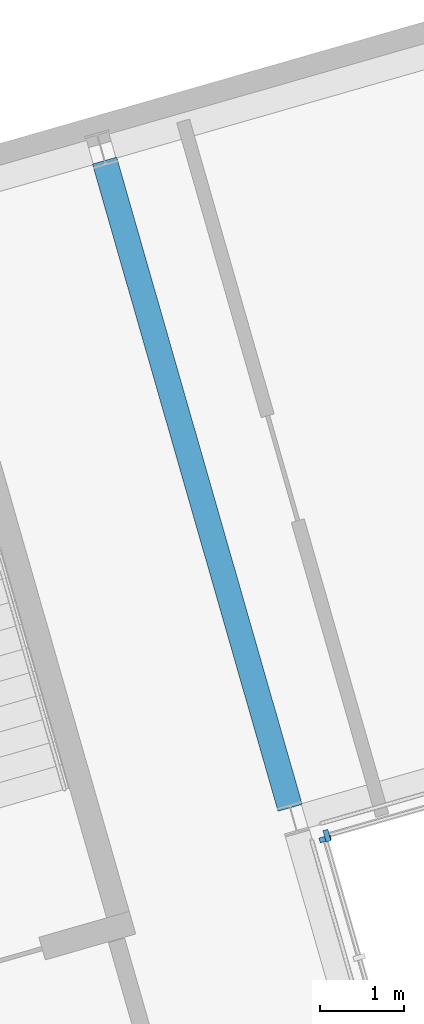
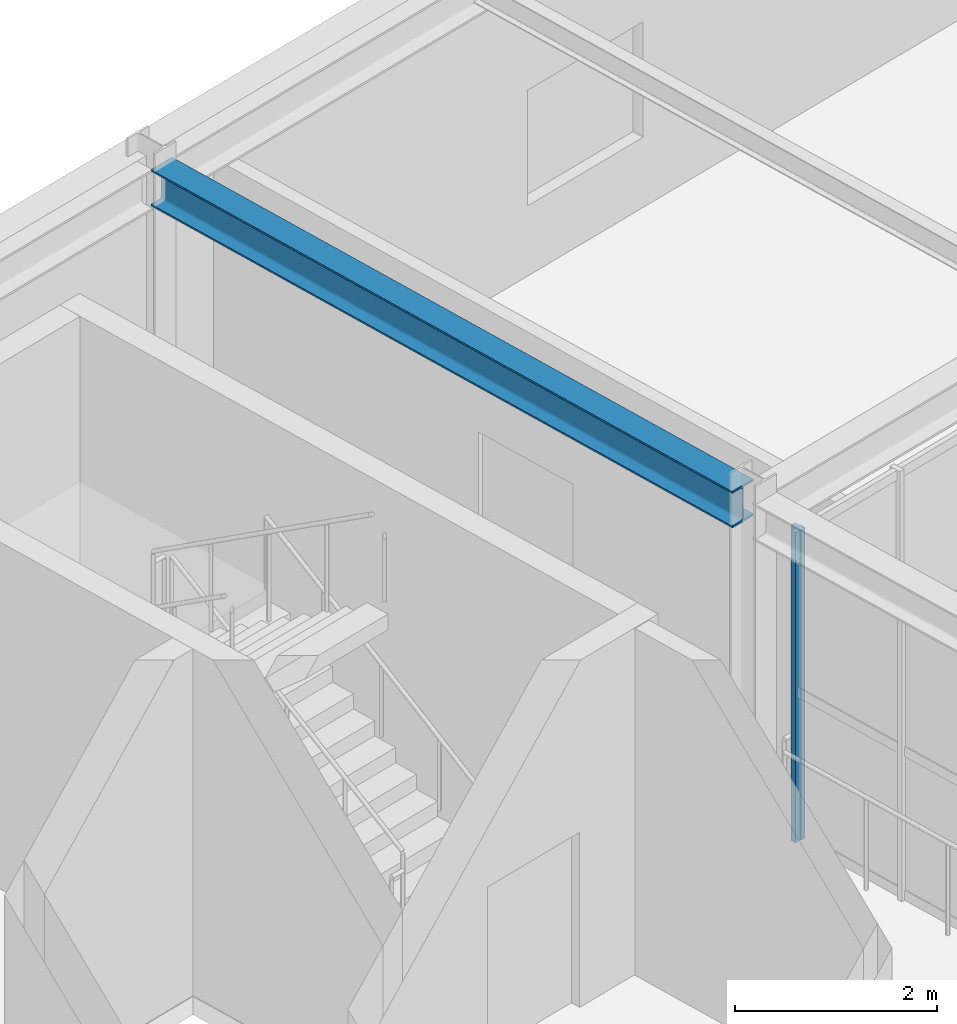
# One storey, part 32 of 103: 2 members, 1 beam, 2 elements without a shape of their own.
"""IFC4 building model written with IfcOpenShell, lengths in metres."""

import ifcopenshell
import ifcopenshell.guid

model = None  # the IFC model being written
_history = None  # IfcOwnerHistory: only IFC2X3 demands one
_inside = {}  # id of a spatial element -> (the spatial element, [elements in it])
_under = {}  # id of a project, library or spatial element -> (it, [spatial elements below it])
_declared = {}  # id of a project -> (the project, [libraries it declares])
_typed = {}  # id of a type object -> (the type object, [elements of that type])
_made_of = {}  # id of a material, layer set ... -> (it, [elements and type objects made of it])


def new_model(schema):
    """Start an empty IFC model of exactly this schema.

    Asked for "IFC4X3", IfcOpenShell would pick the latest addendum, in which some entities
    have other attributes; the version numbers below select the first issue.
    IFC2X3 requires an IfcOwnerHistory on every rooted entity: one is made here for all.
    """
    global model, _history
    if schema == "IFC4X3":
        model = ifcopenshell.file(schema_version=(4, 3, 0, 0))
    else:
        model = ifcopenshell.file(schema=schema)
    _inside.clear()
    _under.clear()
    _declared.clear()
    _typed.clear()
    _made_of.clear()
    _history = None
    if model.schema == "IFC2X3":
        org = make("IfcOrganization", Name="unknown")
        user = make(
            "IfcPersonAndOrganization",
            ThePerson=make("IfcPerson", FamilyName="unknown"),
            TheOrganization=org,
        )
        app = make(
            "IfcApplication",
            ApplicationDeveloper=org,
            Version="unknown",
            ApplicationFullName="unknown",
            ApplicationIdentifier="unknown",
        )
        _history = make(
            "IfcOwnerHistory",
            OwningUser=user,
            OwningApplication=app,
            ChangeAction="ADDED",
            CreationDate=0,
        )
    return model


def make(cls, **values):
    """One entity of the class cls with the attributes given. An attribute that is None is left unset."""
    return model.create_entity(
        cls, **{name: value for name, value in values.items() if value is not None}
    )


def rooted(cls, **values):
    """An entity with a GlobalId (a new one), such as an element, a storey or a relation."""
    return make(cls, GlobalId=ifcopenshell.guid.new(), OwnerHistory=_history, **values)


def si_unit(unit_type, name, prefix=None):
    """IfcSIUnit, for example si_unit("LENGTHUNIT", "METRE", prefix="MILLI")."""
    return make("IfcSIUnit", UnitType=unit_type, Prefix=prefix, Name=name)


def assignment(units):
    """IfcUnitAssignment: the units of a project."""
    return None if units is None else make("IfcUnitAssignment", Units=units)


def point(xyz):
    """IfcCartesianPoint."""
    return None if xyz is None else make("IfcCartesianPoint", Coordinates=xyz)


def direction(xyz):
    """IfcDirection."""
    return None if xyz is None else make("IfcDirection", DirectionRatios=xyz)


def frame(location, z_axis=None, x_axis=None):
    """IfcAxis2Placement3D, a coordinate frame: its origin and axes. An axis left out is left unset."""
    return make(
        "IfcAxis2Placement3D",
        Location=point(location),
        Axis=direction(z_axis),
        RefDirection=direction(x_axis),
    )


def frame_2d(location, x_axis=None):
    """IfcAxis2Placement2D, a coordinate frame in the plane: its origin and x axis."""
    return make(
        "IfcAxis2Placement2D", Location=point(location), RefDirection=direction(x_axis)
    )


def origin():
    """The frame at (0, 0, 0) with its axes left unset."""
    return frame((0.0, 0.0, 0.0))


def origin_2d():
    """The frame at (0, 0) in the plane with its x axis left unset."""
    return frame_2d((0.0, 0.0))


def place(relative_to, where):
    """IfcLocalPlacement: puts the frame where relative to a parent placement (None: the world)."""
    return make(
        "IfcLocalPlacement", PlacementRelTo=relative_to, RelativePlacement=where
    )


def context(
    kind, dimensions, precision=None, world=None, true_north=None, identifier=None
):
    """IfcGeometricRepresentationContext, for example the 3D "Model" context."""
    return make(
        "IfcGeometricRepresentationContext",
        ContextIdentifier=identifier,
        ContextType=kind,
        CoordinateSpaceDimension=dimensions,
        Precision=precision,
        WorldCoordinateSystem=world,
        TrueNorth=true_north,
    )


def subcontext(parent, identifier, kind, view, scale=None):
    """IfcGeometricRepresentationSubContext, for example "Body" below "Model"."""
    return make(
        "IfcGeometricRepresentationSubContext",
        ContextIdentifier=identifier,
        ContextType=kind,
        ParentContext=parent,
        TargetScale=scale,
        TargetView=view,
    )


def project(units=None, contexts=None):
    """IfcProject with its units and contexts."""
    return rooted(
        "IfcProject",
        Name="project",
        RepresentationContexts=contexts,
        UnitsInContext=assignment(units),
    )


def spatial(cls, under=None, at=None, **own):
    """A site, building, storey or space (cls), placed at a placement, below another one or the project."""
    s = rooted(cls, ObjectPlacement=at, **own)
    if under is not None:
        _under.setdefault(under.id(), (under, []))[1].append(s)
    return s


def profile(cls, at=None, kind="AREA", **sizes):
    """A parametric profile (cls). Its sizes go by their IFC names, for example OverallWidth=200.0."""
    return make(cls, ProfileType=kind, Position=at, **sizes)


def rectangle(**sizes):
    """IfcRectangleProfileDef."""
    return profile("IfcRectangleProfileDef", **sizes)


def i_section(**sizes):
    """IfcIShapeProfileDef."""
    return profile("IfcIShapeProfileDef", **sizes)


def extrude(swept, where, along, depth):
    """IfcExtrudedAreaSolid: the profile swept, set in the frame where, extruded along a direction by depth."""
    return make(
        "IfcExtrudedAreaSolid",
        SweptArea=swept,
        Position=where,
        ExtrudedDirection=direction(along),
        Depth=depth,
    )


def shape(context_of_items, identifier, shape_type, items):
    """IfcShapeRepresentation: the items that make up one representation, for example the "Body"."""
    return make(
        "IfcShapeRepresentation",
        ContextOfItems=context_of_items,
        RepresentationIdentifier=identifier,
        RepresentationType=shape_type,
        Items=items,
    )


def material(Name=None, Category=None):
    """IfcMaterial."""
    return make("IfcMaterial", Name=Name, Category=Category)


def material_profile(
    of_material, cross_section, Name=None, Category=None, Priority=None
):
    """IfcMaterialProfile: a cross section and its material."""
    return make(
        "IfcMaterialProfile",
        Name=Name,
        Material=of_material,
        Profile=cross_section,
        Priority=Priority,
        Category=Category,
    )


def profile_set(profiles, Name=None, composite=None):
    """IfcMaterialProfileSet."""
    return make(
        "IfcMaterialProfileSet",
        Name=Name,
        MaterialProfiles=profiles,
        CompositeProfile=composite,
    )


def made_of(thing, what):
    """Note that an element or type object is made of a material, layer set ...; save() writes the relation."""
    if what is not None:
        _made_of.setdefault(what.id(), (what, []))[1].append(thing)
    return thing


def type_object(cls, material=None, **own):
    """A type object (cls), such as IfcWallType, which elements share."""
    return made_of(rooted(cls, **own), material)


def element(
    cls,
    number,
    at=None,
    inside=None,
    cuts=None,
    type_object=None,
    material=None,
    context=None,
    identifier="Body",
    shape_type=None,
    held_by="IfcProductDefinitionShape",
    body=None,
    shapes=None,
    **own,
):
    """One element of the class cls, such as IfcWall. Its Tag is "e" and its number.

    at: its placement. inside: the storey or other place that contains it. cuts: it is an
    opening in that element (IfcRelVoidsElement). A single representation is given by context,
    identifier, shape_type and body (its items); several are given by shapes. held_by: the class
    of the entity that holds the representations. save() writes the other relations.
    """
    e = rooted(cls, Tag="e%d" % number, ObjectPlacement=at, **own)
    if body is not None:
        shapes = [shape(context, identifier, shape_type, body)]
    if shapes is not None:
        e.Representation = make(held_by, Representations=shapes)
    if inside is not None:
        _inside.setdefault(inside.id(), (inside, []))[1].append(e)
    if cuts is not None:
        rooted(
            "IfcRelVoidsElement", RelatingBuildingElement=cuts, RelatedOpeningElement=e
        )
    if type_object is not None:
        _typed.setdefault(type_object.id(), (type_object, []))[1].append(e)
    return made_of(e, material)


def aggregate(whole, parts):
    """IfcRelAggregates: a whole, such as a stair, and the parts it consists of."""
    return rooted("IfcRelAggregates", RelatingObject=whole, RelatedObjects=parts)


def save(model, path):
    """Write the relations noted so far, then the file.

    IfcRelAggregates (storeys below a building ...), IfcRelContainedInSpatialStructure (elements
    in a storey), IfcRelDefinesByType, IfcRelAssociatesMaterial and IfcRelDeclares: one each for
    every whole, place, type object, material and project.
    """
    for whole, parts in _under.values():
        aggregate(whole, parts)
    for where, things in _inside.values():
        rooted(
            "IfcRelContainedInSpatialStructure",
            RelatedElements=things,
            RelatingStructure=where,
        )
    for kind, things in _typed.values():
        rooted("IfcRelDefinesByType", RelatedObjects=things, RelatingType=kind)
    for what, things in _made_of.values():
        rooted("IfcRelAssociatesMaterial", RelatedObjects=things, RelatingMaterial=what)
    for by, libraries in _declared.values():
        rooted("IfcRelDeclares", RelatingContext=by, RelatedDefinitions=libraries)
    model.write(path)


model = new_model("IFC4")

# Units and contexts
model_context = context("Model", 3, precision=1e-05, world=origin(), true_north=direction((0.0, 1.0)))
body_context = subcontext(model_context, "Body", "Model", "MODEL_VIEW")
ifc_project = project(units=[si_unit("LENGTHUNIT", "METRE"), si_unit("AREAUNIT", "SQUARE_METRE"), si_unit("VOLUMEUNIT", "CUBIC_METRE"), si_unit("PLANEANGLEUNIT", "RADIAN"), si_unit("MASSUNIT", "GRAM", prefix="KILO")], contexts=[model_context])

# Site, building, storey
site_placement = place(None, origin())
site = spatial("IfcSite", under=ifc_project, at=site_placement, CompositionType="ELEMENT")
building_placement = place(site_placement, origin())
building = spatial("IfcBuilding", under=site, at=building_placement, Name="Varnklinge Art Gallery", CompositionType="ELEMENT")
storey_placement = place(building_placement, frame((0.0, 0.0, 5.10009765625)))
storey = spatial("IfcBuildingStorey", under=building, at=storey_placement, Name="L01", CompositionType="ELEMENT", Elevation=5.10009765625)

# Beam
ifc_material_1 = material(Name="Steel S355", Category="steel")
ifc_material_profile_1 = material_profile(ifc_material_1, i_section(OverallWidth=0.300048828125, OverallDepth=0.43994140625, WebThickness=0.011474609375, FlangeThickness=0.02099609375, FilletRadius=0.027099609375, at=origin_2d()), Name="HEA 450")
ifc_profile_set_1 = profile_set([ifc_material_profile_1], Name="Steel S355")
beam_type = type_object("IfcBeamType", Name="BM-08", PredefinedType="BEAM", material=ifc_profile_set_1)
beam_placement = place(storey_placement, frame((131.101806640625, 30.374267578125, 3.97998046875), z_axis=(-0.275649759333, 0.961258139201, 0.0), x_axis=(-0.961258139201, -0.275649759333, 0.0)))
element("IfcBeam", 1, at=beam_placement, inside=storey, type_object=beam_type, Name="L01 BM-08 BM-V6-L02-V1-2", PredefinedType="BEAM", context=body_context, shape_type="SweptSolid", body=[
    extrude(i_section(OverallWidth=0.300048828125, OverallDepth=0.43994140625, WebThickness=0.011474609375, FlangeThickness=0.02099609375, FilletRadius=0.027099609375, at=origin_2d()), origin(), (0.0, 0.0, 1.0), 8.02001953125),
])

# Curtain wall, member
ifc_material_2 = material(Name="Anodised Aluminium", Category="aluminium")
curtain_wall_type = type_object("IfcCurtainWallType", Name="CW-C02", PredefinedType="USERDEFINED", material=ifc_material_2)
curtain_wall_1_placement = place(storey_placement, origin())
curtain_wall_1 = element("IfcCurtainWall", 2, at=curtain_wall_1_placement, inside=storey, type_object=curtain_wall_type, Name="L01 Curtain Wall CW-V6C-L01-3", ObjectType="UNITISED CURTAIN WALL", PredefinedType="USERDEFINED")
ifc_material_3 = material(Name="Anodised Aluminium", Category="aluminium")
ifc_material_profile_2 = material_profile(ifc_material_3, rectangle(XDim=0.06005859375, YDim=0.139892578125, at=origin_2d()), Name="ALU 60x140")
ifc_profile_set_2 = profile_set([ifc_material_profile_2], Name="Anodised Aluminium")
member_type = type_object("IfcMemberType", Name="MUL-03", PredefinedType="MULLION", material=ifc_profile_set_2)
member_1_placement = place(storey_placement, frame((131.540283203125, 30.042236328125, 0.0), z_axis=(0.0, 0.0, 1.0), x_axis=(0.961261695938, 0.275637355817, 0.0)))
member_1 = element("IfcMember", 3, at=member_1_placement, type_object=member_type, Name="CW-V6C-L01-3 Mullion 1", PredefinedType="MULLION", context=body_context, shape_type="SweptSolid", body=[
    extrude(rectangle(XDim=0.06005859375, YDim=0.139892578125, at=origin_2d()), origin(), (0.0, 0.0, 1.0), 3.75),
])
aggregate(curtain_wall_1, [member_1])

curtain_wall_2_placement = place(storey_placement, origin())
curtain_wall_2 = element("IfcCurtainWall", 4, at=curtain_wall_2_placement, inside=storey, type_object=curtain_wall_type, Name="L01 Curtain Wall CW-V6C-L01-4", ObjectType="UNITISED CURTAIN WALL", PredefinedType="USERDEFINED")
member_2_placement = place(storey_placement, frame((131.519775390625, 30.005126953125, 0.0), z_axis=(0.0, 0.0, 1.0), x_axis=(-0.275637355817, 0.961261695938, 0.0)))
member_2 = element("IfcMember", 5, at=member_2_placement, type_object=member_type, Name="CW-V6C-L01-4 Mullion 7", PredefinedType="MULLION", context=body_context, shape_type="SweptSolid", body=[
    extrude(rectangle(XDim=0.06005859375, YDim=0.139892578125, at=origin_2d()), origin(), (0.0, 0.0, 1.0), 3.75),
])
aggregate(curtain_wall_2, [member_2])

save(model, "model.ifc")
